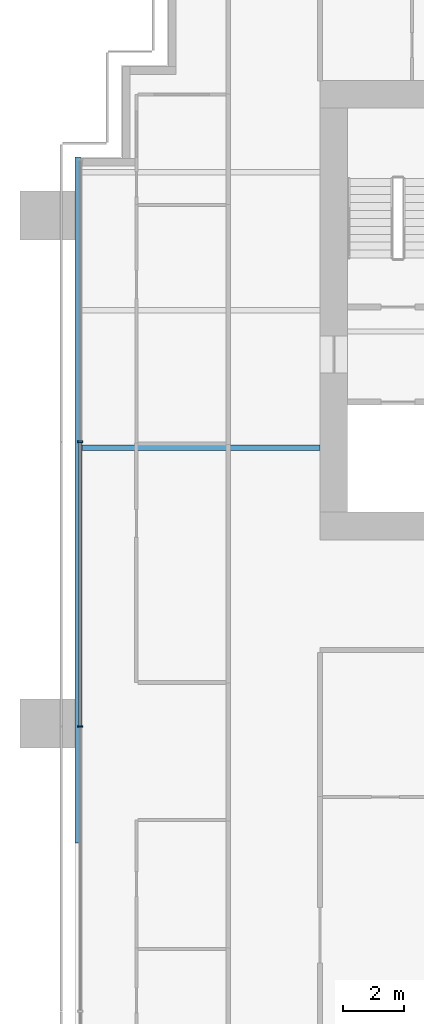
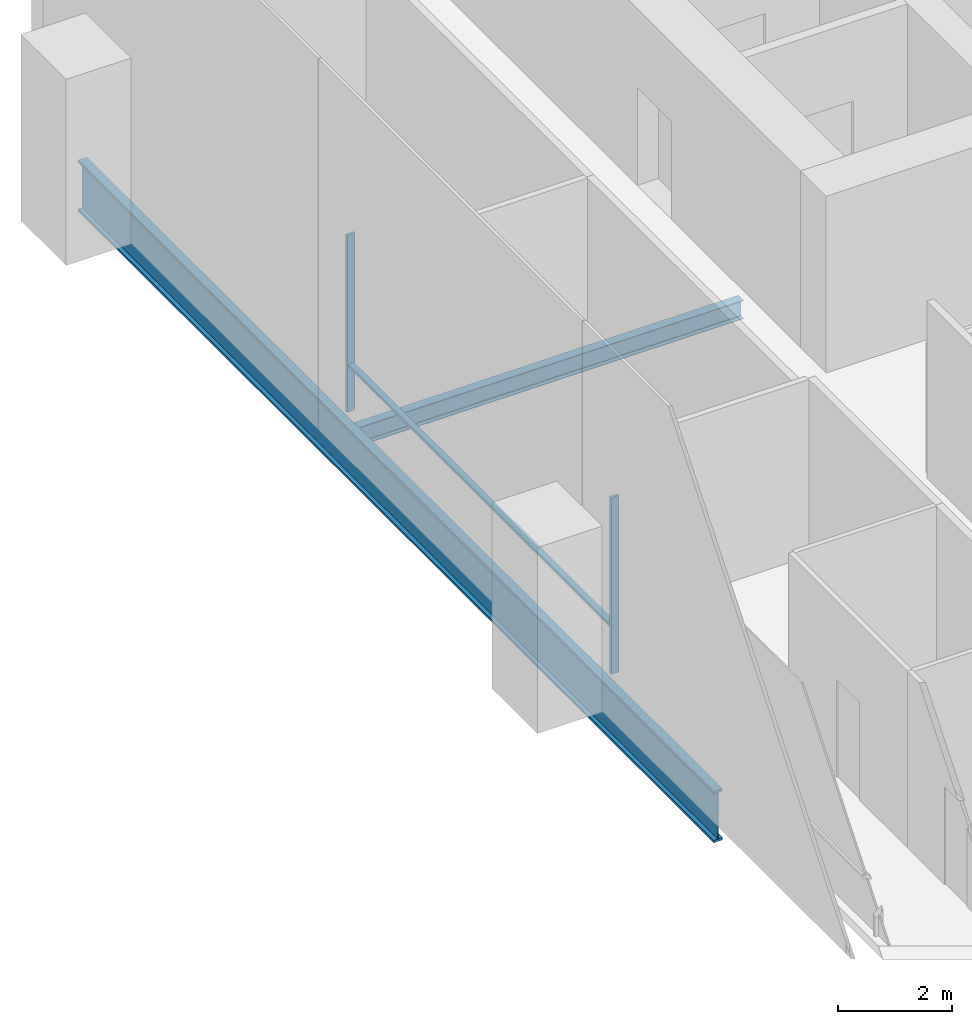
# One storey, part 4 of 19: 3 members, 2 beams, 1 element without a shape of its own.
"""IFC4 building model written with IfcOpenShell, lengths in metres."""

from ifc_helpers import new_model, si_unit, direction, frame, origin, origin_2d, place, context, subcontext, project, spatial, rectangle, i_section, extrude, material, material_profile, profile_set, type_object, element, aggregate, save


model = new_model("IFC4")

# Units and contexts
model_context = context("Model", 3, precision=1e-05, world=origin(), true_north=direction((0.0, 1.0)))
body_context = subcontext(model_context, "Body", "Model", "MODEL_VIEW")
ifc_project = project(units=[si_unit("LENGTHUNIT", "METRE"), si_unit("AREAUNIT", "SQUARE_METRE"), si_unit("VOLUMEUNIT", "CUBIC_METRE"), si_unit("PLANEANGLEUNIT", "RADIAN"), si_unit("MASSUNIT", "GRAM", prefix="KILO")], contexts=[model_context])

# Site, building, storey
site_placement = place(None, origin())
site = spatial("IfcSite", under=ifc_project, at=site_placement, CompositionType="ELEMENT")
building_placement = place(site_placement, origin())
building = spatial("IfcBuilding", under=site, at=building_placement, Name="Rattan Terrace Tower", CompositionType="ELEMENT")
storey_placement = place(building_placement, frame((0.0, 0.0, 103.699951171875)))
storey = spatial("IfcBuildingStorey", under=building, at=storey_placement, Name="L23", CompositionType="ELEMENT", Elevation=103.699951171875)

# Curtain wall, members
ifc_material_1 = material(Name="Aluminium and glass", Category="aluminium")
curtain_wall_type = type_object("IfcCurtainWallType", Name="Facade Unitised Curtain Wall", PredefinedType="NOTDEFINED", material=ifc_material_1)
curtain_wall_placement = place(storey_placement, origin())
curtain_wall = element("IfcCurtainWall", 1, at=curtain_wall_placement, inside=storey, type_object=curtain_wall_type, Name="Curtain wall L23-3", PredefinedType="NOTDEFINED")
ifc_material_2 = material(Name="Aluminium", Category="aluminium")
ifc_material_profile_1 = material_profile(ifc_material_2, rectangle(XDim=0.06005859375, YDim=0.159912109375, at=origin_2d()), Name="Aluminium 60x160")
ifc_profile_set_1 = profile_set([ifc_material_profile_1], Name="Aluminium")
member_type_1 = type_object("IfcMemberType", Name="Facade CW Mullion 60x160", PredefinedType="MULLION", material=ifc_profile_set_1)
member_1_placement = place(storey_placement, frame((-25.830078125, -4.300048828125, 0.0), z_axis=(0.0, 0.0, 1.0), x_axis=(0.0, -1.0, 0.0)))
member_1 = element("IfcMember", 2, at=member_1_placement, type_object=member_type_1, Name="Mullion cwl-L23-003.2", PredefinedType="MULLION", context=body_context, shape_type="SweptSolid", body=[
    extrude(rectangle(XDim=0.06005859375, YDim=0.159912109375, at=origin_2d()), origin(), (0.0, 0.0, 1.0), 3.800048828125),
])
member_2_placement = place(storey_placement, frame((-25.830078125, -13.60009765625, 0.0), z_axis=(0.0, 0.0, 1.0), x_axis=(0.0, -1.0, 0.0)))
member_2 = element("IfcMember", 3, at=member_2_placement, type_object=member_type_1, Name="Mullion cwl-L23-003.3", PredefinedType="MULLION", context=body_context, shape_type="SweptSolid", body=[
    extrude(rectangle(XDim=0.06005859375, YDim=0.159912109375, at=origin_2d()), origin(), (0.0, 0.0, 1.0), 3.800048828125),
])
ifc_material_3 = material(Name="Aluminium", Category="aluminium")
ifc_material_profile_2 = material_profile(ifc_material_3, rectangle(XDim=0.1201171875, YDim=0.06005859375, at=origin_2d()), Name="Aluminium 120x60")
ifc_profile_set_2 = profile_set([ifc_material_profile_2], Name="Aluminium")
member_type_2 = type_object("IfcMemberType", Name="Facade CW Transom 120x60", PredefinedType="USERDEFINED", material=ifc_profile_set_2)
member_3_placement = place(storey_placement, frame((-25.830078125, -4.330078125, 1.0), z_axis=(0.0, -1.0, 0.0), x_axis=(1.0, 0.0, 0.0)))
member_3 = element("IfcMember", 4, at=member_3_placement, type_object=member_type_2, Name="Transom cwl-L23-003.2", ObjectType="TRANSOM", PredefinedType="USERDEFINED", context=body_context, shape_type="SweptSolid", body=[
    extrude(rectangle(XDim=0.1201171875, YDim=0.06005859375, at=origin_2d()), origin(), (0.0, 0.0, 1.0), 9.239990234375),
])
aggregate(curtain_wall, [member_1, member_2, member_3])

# Beams
ifc_material_4 = material(Name="Steel S460", Category="steel")
ifc_material_profile_3 = material_profile(ifc_material_4, i_section(OverallWidth=0.179931640625, OverallDepth=1.10009765625, WebThickness=0.01611328125, FlangeThickness=0.050048828125, at=origin_2d()), Name="PG 1100x180-16-50")
ifc_profile_set_3 = profile_set([ifc_material_profile_3], Name="Steel S460")
beam_type_1 = type_object("IfcBeamType", Name="Frame edge girder PG 1100x180-16-50", PredefinedType="SPANDREL", material=ifc_profile_set_3)
beam_1_placement = place(storey_placement, frame((-25.909912109375, -17.39990234375, -0.75), z_axis=(0.0, 1.0, 0.0), x_axis=(-1.0, 0.0, 0.0)))
element("IfcBeam", 5, at=beam_1_placement, inside=storey, type_object=beam_type_1, Name="gdr-L23-004", PredefinedType="SPANDREL", context=body_context, shape_type="SweptSolid", body=[
    extrude(i_section(OverallWidth=0.179931640625, OverallDepth=1.10009765625, WebThickness=0.01611328125, FlangeThickness=0.050048828125, at=origin_2d()), origin(), (0.0, 0.0, 1.0), 22.39990234375),
])
ifc_material_5 = material(Name="Steel S355", Category="steel")
ifc_material_profile_4 = material_profile(ifc_material_5, i_section(OverallWidth=0.179931640625, OverallDepth=0.39990234375, WebThickness=0.008544921875, FlangeThickness=0.013427734375, FilletRadius=0.02099609375, at=origin_2d()), Name="IPE 400")
ifc_profile_set_4 = profile_set([ifc_material_profile_4], Name="Steel S355")
beam_type_2 = type_object("IfcBeamType", Name="Frame floor beam IPE 400", PredefinedType="JOIST", material=ifc_profile_set_4)
beam_2_placement = place(storey_placement, frame((-25.820068359375, -4.5, -0.39990234375), z_axis=(1.0, 0.0, 0.0), x_axis=(0.0, 1.0, 0.0)))
element("IfcBeam", 6, at=beam_2_placement, inside=storey, type_object=beam_type_2, Name="bm-L23-012", PredefinedType="JOIST", context=body_context, shape_type="SweptSolid", body=[
    extrude(i_section(OverallWidth=0.179931640625, OverallDepth=0.39990234375, WebThickness=0.008544921875, FlangeThickness=0.013427734375, FilletRadius=0.02099609375, at=origin_2d()), origin(), (0.0, 0.0, 1.0), 7.820068359375),
])

save(model, "model.ifc")
